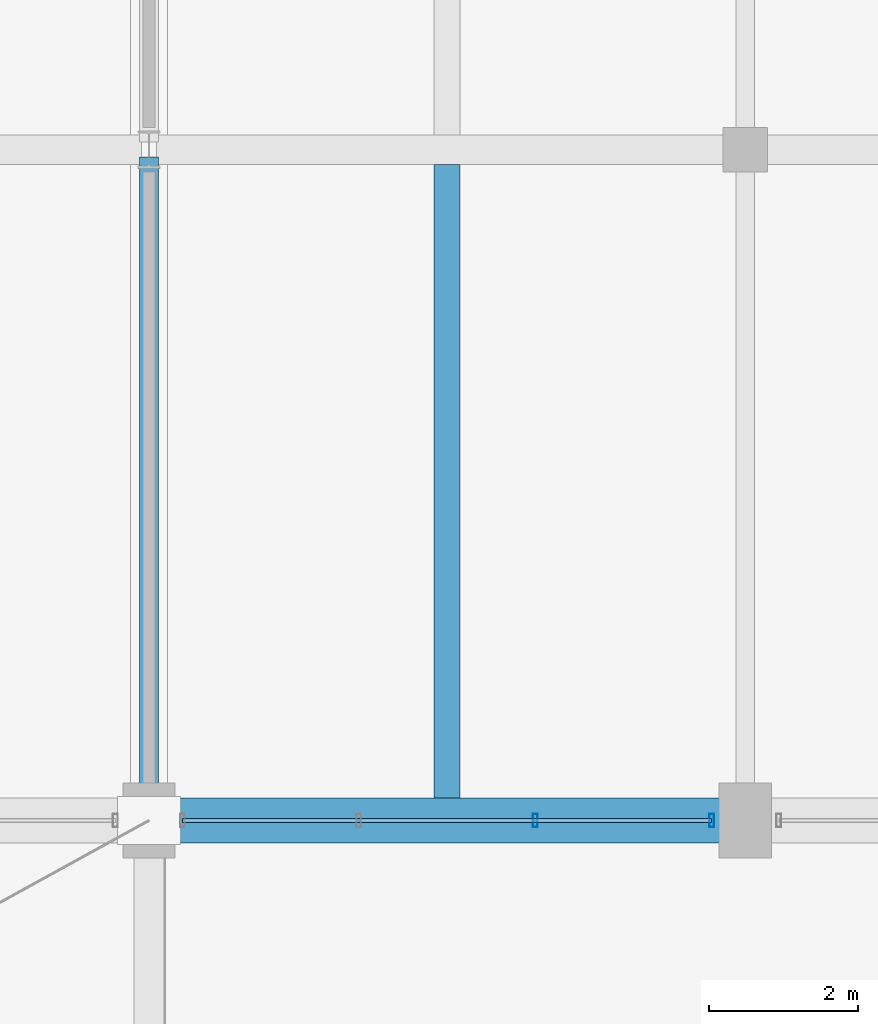
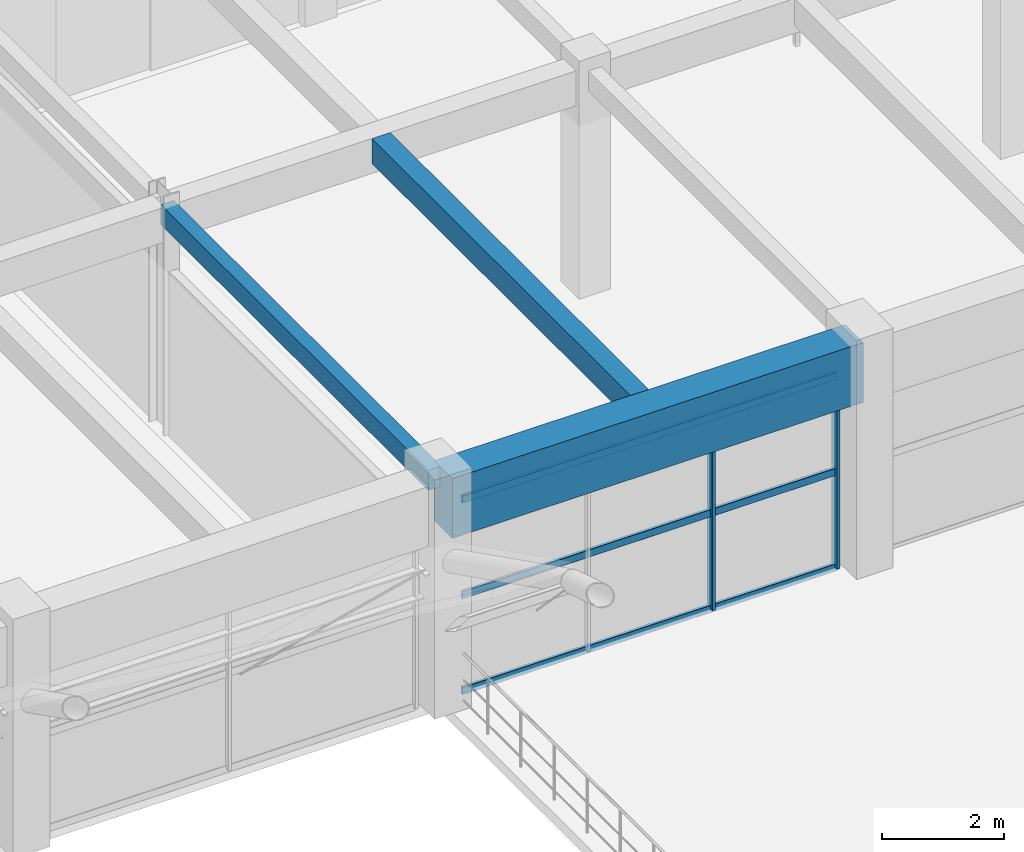
# One storey, part 39 of 144: 5 members, 3 beams, 1 element without a shape of its own.
"""IFC4 building model written with IfcOpenShell, lengths in metres."""

from ifc_helpers import new_model, si_unit, direction, frame, origin, origin_2d, place, context, subcontext, project, spatial, rectangle, hollow_rectangle, extrude, material, material_profile, profile_set, type_object, element, aggregate, save


model = new_model("IFC4")

# Units and contexts
model_context = context("Model", 3, precision=1e-05, world=origin(), true_north=direction((0.0, 1.0)))
body_context = subcontext(model_context, "Body", "Model", "MODEL_VIEW")
ifc_project = project(units=[si_unit("LENGTHUNIT", "METRE"), si_unit("AREAUNIT", "SQUARE_METRE"), si_unit("VOLUMEUNIT", "CUBIC_METRE"), si_unit("PLANEANGLEUNIT", "RADIAN"), si_unit("MASSUNIT", "GRAM", prefix="KILO")], contexts=[model_context])

# Site, building, storey
site_placement = place(None, origin())
site = spatial("IfcSite", under=ifc_project, at=site_placement, CompositionType="ELEMENT")
building_placement = place(site_placement, origin())
building = spatial("IfcBuilding", under=site, at=building_placement, Name="Varnabhumi Central Station", CompositionType="ELEMENT")
storey_placement = place(building_placement, frame((0.0, 0.0, 4.800048828125)))
storey = spatial("IfcBuildingStorey", under=building, at=storey_placement, Name="L01", CompositionType="ELEMENT", Elevation=4.800048828125)

# Beams
ifc_material_1 = material(Name="Concrete M50", Category="concrete")
ifc_material_profile_1 = material_profile(ifc_material_1, rectangle(XDim=0.60009765625, YDim=1.199951171875, at=origin_2d()), Name="Concrete M50", Category="concrete")
ifc_profile_set_1 = profile_set([ifc_material_profile_1], Name="Concrete M50")
beam_type_1 = type_object("IfcBeamType", Name="BM-RC-1200x600", PredefinedType="BEAM", material=ifc_profile_set_1)
beam_1_placement = place(storey_placement, frame((24.10009765625, 80.0, 3.949951171875), z_axis=(1.0, 0.0, 0.0), x_axis=(0.0, 1.0, 0.0)))
element("IfcBeam", 1, at=beam_1_placement, inside=storey, type_object=beam_type_1, Name="Beam L01-K:4-5", PredefinedType="BEAM", context=body_context, shape_type="SweptSolid", body=[
    extrude(rectangle(XDim=0.60009765625, YDim=1.199951171875, at=origin_2d()), origin(), (0.0, 0.0, 1.0), 7.7998046875),
])
ifc_material_2 = material(Name="Concrete M35", Category="concrete")
ifc_material_profile_2 = material_profile(ifc_material_2, rectangle(XDim=0.25, YDim=0.39990234375, at=origin_2d()), Name="Concrete M35", Category="concrete")
ifc_profile_set_2 = profile_set([ifc_material_profile_2], Name="Concrete M35")
beam_type_2 = type_object("IfcBeamType", Name="BM-RC-250x400", PredefinedType="LINTEL", material=ifc_profile_set_2)
beam_2_placement = place(storey_placement, frame((24.0, 80.10009765625, 4.349853515625), z_axis=(0.0, 1.0, 0.0), x_axis=(-1.0, 0.0, 0.0)))
element("IfcBeam", 2, at=beam_2_placement, inside=storey, type_object=beam_type_2, Name="Beam L01-4:K-L", PredefinedType="LINTEL", context=body_context, shape_type="SweptSolid", body=[
    extrude(rectangle(XDim=0.25, YDim=0.39990234375, at=origin_2d()), origin(), (0.0, 0.0, 1.0), 8.7998046875),
])
ifc_material_3 = material(Name="Concrete M40", Category="concrete")
ifc_material_profile_3 = material_profile(ifc_material_3, rectangle(XDim=0.35009765625, YDim=0.5, at=origin_2d()), Name="Concrete M40", Category="concrete")
ifc_profile_set_3 = profile_set([ifc_material_profile_3], Name="Concrete M40")
beam_type_3 = type_object("IfcBeamType", Name="BM-RC-350x500", PredefinedType="JOIST", material=ifc_profile_set_3)
beam_3_placement = place(storey_placement, frame((28.0, 80.300048828125, 4.300048828125), z_axis=(0.0, 1.0, 0.0), x_axis=(-1.0, 0.0, 0.0)))
element("IfcBeam", 3, at=beam_3_placement, inside=storey, type_object=beam_type_3, Name="Secondary Joist L01-4/5:K-L", PredefinedType="JOIST", context=body_context, shape_type="SweptSolid", body=[
    extrude(rectangle(XDim=0.35009765625, YDim=0.5, at=origin_2d()), origin(), (0.0, 0.0, 1.0), 8.5),
])

# Curtain wall, members
ifc_material_4 = material(Name="Anodised aluminium 6063-T6", Category="aluminium")
curtain_wall_type = type_object("IfcCurtainWallType", Name="CW-STREET-PORTAL", PredefinedType="NOTDEFINED", material=ifc_material_4)
curtain_wall_placement = place(storey_placement, origin())
curtain_wall = element("IfcCurtainWall", 4, at=curtain_wall_placement, inside=storey, type_object=curtain_wall_type, Name="Curtain Wall CW-NSP103", PredefinedType="NOTDEFINED")
ifc_material_profile_4 = material_profile(ifc_material_4, hollow_rectangle(XDim=0.06494140625, YDim=0.179931640625, WallThickness=0.00390625, InnerFilletRadius=0.001953125, OuterFilletRadius=0.006103515625, at=origin_2d()), Name="Anodised aluminium 6063-T6", Category="aluminium")
ifc_profile_set_4 = profile_set([ifc_material_profile_4], Name="Anodised aluminium 6063-T6")
member_type_1 = type_object("IfcMemberType", Name="CW-MUL-180", PredefinedType="MULLION", material=ifc_profile_set_4)
member_1_placement = place(storey_placement, frame((29.183349609375, 80.0, 0.0), z_axis=(0.0, 0.0, 1.0), x_axis=(1.0, 0.0, 0.0)))
member_1 = element("IfcMember", 5, at=member_1_placement, type_object=member_type_1, Name="Curtain Wall Mullion CW-NSP103-M3", PredefinedType="MULLION", context=body_context, shape_type="SweptSolid", body=[
    extrude(hollow_rectangle(XDim=0.06494140625, YDim=0.179931640625, WallThickness=0.00390625, InnerFilletRadius=0.001953125, OuterFilletRadius=0.006103515625, at=origin_2d()), origin(), (0.0, 0.0, 1.0), 3.83984375),
])
member_2_placement = place(storey_placement, frame((31.550048828125, 80.0, 0.0), z_axis=(0.0, 0.0, 1.0), x_axis=(1.0, 0.0, 0.0)))
member_2 = element("IfcMember", 6, at=member_2_placement, type_object=member_type_1, Name="Curtain Wall Mullion CW-NSP103-M4", PredefinedType="MULLION", context=body_context, shape_type="SweptSolid", body=[
    extrude(hollow_rectangle(XDim=0.06494140625, YDim=0.179931640625, WallThickness=0.00390625, InnerFilletRadius=0.001953125, OuterFilletRadius=0.006103515625, at=origin_2d()), origin(), (0.0, 0.0, 1.0), 3.83984375),
])
ifc_material_profile_5 = material_profile(ifc_material_4, hollow_rectangle(XDim=0.06005859375, YDim=0.14990234375, WallThickness=0.00390625, InnerFilletRadius=0.001953125, OuterFilletRadius=0.006103515625, at=origin_2d()), Name="Anodised aluminium 6063-T6", Category="aluminium")
ifc_profile_set_5 = profile_set([ifc_material_profile_5], Name="Anodised aluminium 6063-T6")
member_type_2 = type_object("IfcMemberType", Name="CW-TR-150", PredefinedType="USERDEFINED", material=ifc_profile_set_5)
member_3_placement = place(storey_placement, frame((24.449951171875, 80.0, 0.0), z_axis=(1.0, 0.0, 0.0), x_axis=(0.0, 1.0, 0.0)))
member_3 = element("IfcMember", 7, at=member_3_placement, type_object=member_type_2, Name="Curtain Wall Transom CW-NSP103-T1", ObjectType="TRANSOM", PredefinedType="USERDEFINED", context=body_context, shape_type="SweptSolid", body=[
    extrude(hollow_rectangle(XDim=0.06005859375, YDim=0.14990234375, WallThickness=0.00390625, InnerFilletRadius=0.001953125, OuterFilletRadius=0.006103515625, at=origin_2d()), origin(), (0.0, 0.0, 1.0), 7.10009765625),
])
member_4_placement = place(storey_placement, frame((24.449951171875, 80.0, 1.919921875), z_axis=(1.0, 0.0, 0.0), x_axis=(0.0, 1.0, 0.0)))
member_4 = element("IfcMember", 8, at=member_4_placement, type_object=member_type_2, Name="Curtain Wall Transom CW-NSP103-T2", ObjectType="TRANSOM", PredefinedType="USERDEFINED", context=body_context, shape_type="SweptSolid", body=[
    extrude(hollow_rectangle(XDim=0.06005859375, YDim=0.14990234375, WallThickness=0.00390625, InnerFilletRadius=0.001953125, OuterFilletRadius=0.006103515625, at=origin_2d()), origin(), (0.0, 0.0, 1.0), 7.10009765625),
])
member_5_placement = place(storey_placement, frame((24.449951171875, 80.0, 3.83984375), z_axis=(1.0, 0.0, 0.0), x_axis=(0.0, 1.0, 0.0)))
member_5 = element("IfcMember", 9, at=member_5_placement, type_object=member_type_2, Name="Curtain Wall Transom CW-NSP103-T3", ObjectType="TRANSOM", PredefinedType="USERDEFINED", context=body_context, shape_type="SweptSolid", body=[
    extrude(hollow_rectangle(XDim=0.06005859375, YDim=0.14990234375, WallThickness=0.00390625, InnerFilletRadius=0.001953125, OuterFilletRadius=0.006103515625, at=origin_2d()), origin(), (0.0, 0.0, 1.0), 7.10009765625),
])
aggregate(curtain_wall, [member_1, member_2, member_3, member_4, member_5])

save(model, "model.ifc")
